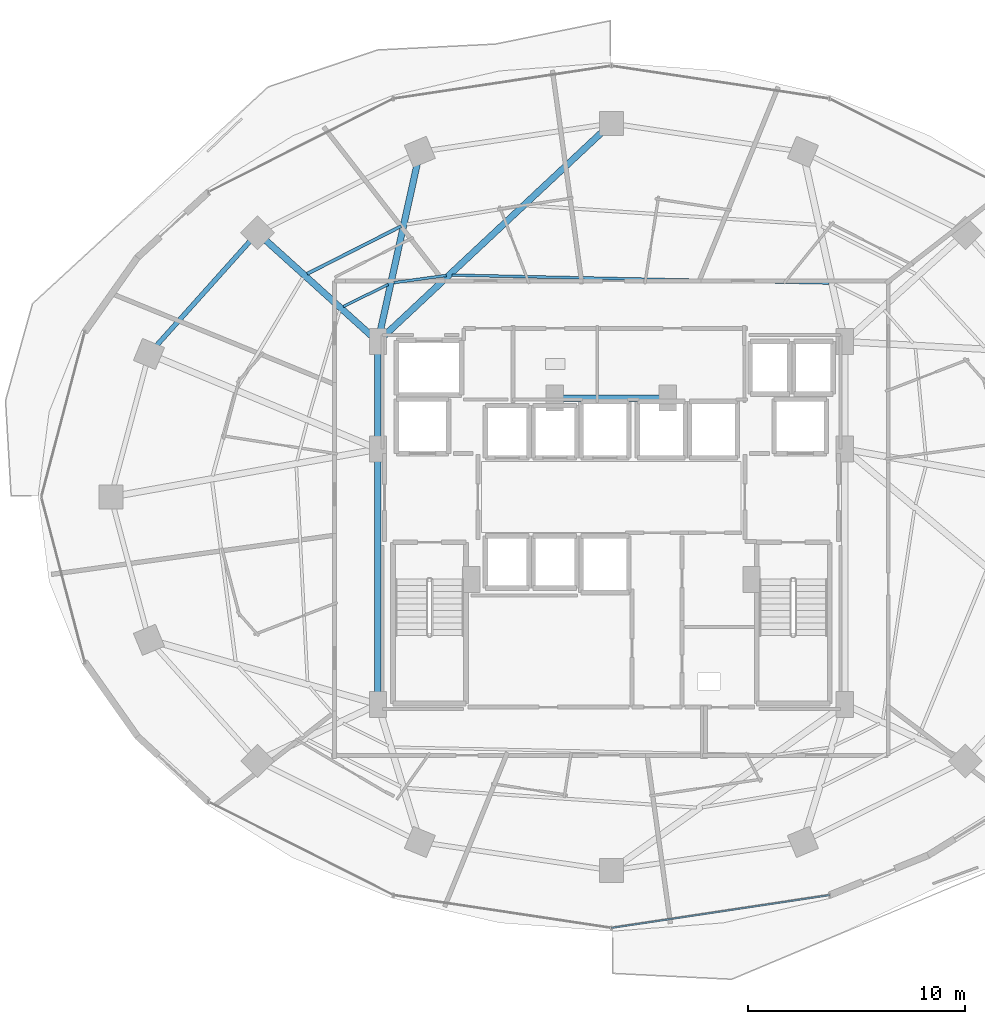
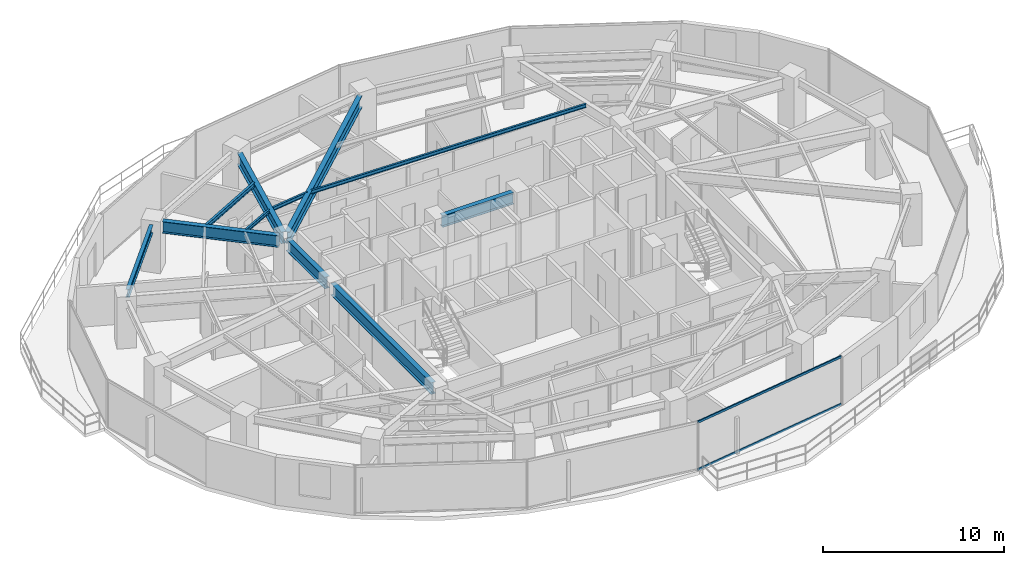
# One storey, part 9 of 30: 11 beams, 2 members, 1 element without a shape of its own.
"""IFC4 building model written with IfcOpenShell, lengths in metres."""

from ifc_helpers import new_model, si_unit, direction, frame, origin, origin_2d, place, context, subcontext, project, spatial, hollow_rectangle, i_section, extrude, material, material_profile, profile_set, type_object, element, aggregate, save


model = new_model("IFC4")

# Units and contexts
model_context = context("Model", 3, precision=1e-05, world=origin(), true_north=direction((0.0, 1.0)))
body_context = subcontext(model_context, "Body", "Model", "MODEL_VIEW")
ifc_project = project(units=[si_unit("LENGTHUNIT", "METRE"), si_unit("AREAUNIT", "SQUARE_METRE"), si_unit("VOLUMEUNIT", "CUBIC_METRE"), si_unit("PLANEANGLEUNIT", "RADIAN"), si_unit("MASSUNIT", "GRAM", prefix="KILO")], contexts=[model_context])

# Site, building, storey
site_placement = place(None, origin())
site = spatial("IfcSite", under=ifc_project, at=site_placement, CompositionType="ELEMENT")
building_placement = place(site_placement, origin())
building = spatial("IfcBuilding", under=site, at=building_placement, Name="Vorneva Point Tower", CompositionType="ELEMENT")
storey_placement = place(building_placement, frame((0.0, 0.0, 92.800048828125)))
storey = spatial("IfcBuildingStorey", under=building, at=storey_placement, Name="L24", CompositionType="ELEMENT", Elevation=92.800048828125)

# Beams
ifc_material_1 = material(Name="Steel S355", Category="steel")
ifc_material_profile_1 = material_profile(ifc_material_1, i_section(OverallWidth=0.300048828125, OverallDepth=0.7880859375, WebThickness=0.014404296875, FlangeThickness=0.02197265625, at=origin_2d()), Name="80Sh1")
ifc_profile_set_1 = profile_set([ifc_material_profile_1], Name="Steel S355")
beam_type_1 = type_object("IfcBeamType", Name="BM-GRD-80Sh1", PredefinedType="USERDEFINED", material=ifc_profile_set_1)
beam_1_placement = place(storey_placement, frame((37.60693359375, 42.83251953125, 2.845947265625), z_axis=(-0.730488863256, -0.682924608327, 0.0), x_axis=(0.682924608327, -0.730488863256, 0.0)))
element("IfcBeam", 1, at=beam_1_placement, inside=storey, type_object=beam_type_1, Name="L24 Radial Primary Girder 05", ObjectType="GIRDER", PredefinedType="USERDEFINED", context=body_context, shape_type="SweptSolid", body=[
    extrude(i_section(OverallWidth=0.300048828125, OverallDepth=0.7880859375, WebThickness=0.014404296875, FlangeThickness=0.02197265625, at=origin_2d()), origin(), (0.0, 0.0, 1.0), 13.838134765625),
])
beam_2_placement = place(storey_placement, frame((29.063232421875, 41.365234375, 2.845947265625), z_axis=(-0.215530944428, -0.976497010745, 0.0), x_axis=(0.976497010745, -0.215530944428, 0.0)))
element("IfcBeam", 2, at=beam_2_placement, inside=storey, type_object=beam_type_1, Name="L24 Radial Primary Girder 06", ObjectType="GIRDER", PredefinedType="USERDEFINED", context=body_context, shape_type="SweptSolid", body=[
    extrude(i_section(OverallWidth=0.300048828125, OverallDepth=0.7880859375, WebThickness=0.014404296875, FlangeThickness=0.02197265625, at=origin_2d()), origin(), (0.0, 0.0, 1.0), 8.072998046875),
])
beam_3_placement = place(storey_placement, frame((22.100341796875, 37.801513671875, 2.845947265625), z_axis=(0.742097300344, -0.670292172729, 0.0), x_axis=(0.670292172729, 0.742097300344, 0.0)))
element("IfcBeam", 3, at=beam_3_placement, inside=storey, type_object=beam_type_1, Name="L24 Radial Primary Girder 07", ObjectType="GIRDER", PredefinedType="USERDEFINED", context=body_context, shape_type="SweptSolid", body=[
    extrude(i_section(OverallWidth=0.300048828125, OverallDepth=0.7880859375, WebThickness=0.014404296875, FlangeThickness=0.02197265625, at=origin_2d()), origin(), (0.0, 0.0, 1.0), 6.599365234375),
])
beam_4_placement = place(storey_placement, frame((27.25, 16.77001953125, 2.845947265625), z_axis=(0.0, 1.0, 0.0), x_axis=(-1.0, 0.0, 0.0)))
element("IfcBeam", 4, at=beam_4_placement, inside=storey, type_object=beam_type_1, Name="L24 Core Tie Girder CT1", ObjectType="GIRDER", PredefinedType="USERDEFINED", context=body_context, shape_type="SweptSolid", body=[
    extrude(i_section(OverallWidth=0.300048828125, OverallDepth=0.7880859375, WebThickness=0.014404296875, FlangeThickness=0.02197265625, at=origin_2d()), origin(), (0.0, 0.0, 1.0), 11.10986328125),
])
beam_5_placement = place(storey_placement, frame((27.25, 28.52001953125, 2.845947265625), z_axis=(0.0, 1.0, 0.0), x_axis=(-1.0, 0.0, 0.0)))
element("IfcBeam", 5, at=beam_5_placement, inside=storey, type_object=beam_type_1, Name="L24 Core Tie Girder CT2", ObjectType="GIRDER", PredefinedType="USERDEFINED", context=body_context, shape_type="SweptSolid", body=[
    extrude(i_section(OverallWidth=0.300048828125, OverallDepth=0.7880859375, WebThickness=0.014404296875, FlangeThickness=0.02197265625, at=origin_2d()), origin(), (0.0, 0.0, 1.0), 4.31005859375),
])
beam_6_placement = place(storey_placement, frame((35.719970703125, 30.550048828125, 2.845947265625), z_axis=(1.0, 0.0, 0.0), x_axis=(0.0, 1.0, 0.0)))
element("IfcBeam", 6, at=beam_6_placement, inside=storey, type_object=beam_type_1, Name="L24 Core Tie Girder CT8", ObjectType="GIRDER", PredefinedType="USERDEFINED", context=body_context, shape_type="SweptSolid", body=[
    extrude(i_section(OverallWidth=0.300048828125, OverallDepth=0.7880859375, WebThickness=0.014404296875, FlangeThickness=0.02197265625, at=origin_2d()), origin(), (0.0, 0.0, 1.0), 4.56005859375),
])
ifc_material_profile_2 = material_profile(ifc_material_1, i_section(OverallWidth=0.1240234375, OverallDepth=0.248046875, WebThickness=0.0048828125, FlangeThickness=0.008056640625, at=origin_2d()), Name="25B1")
ifc_profile_set_2 = profile_set([ifc_material_profile_2], Name="Steel S355")
beam_type_2 = type_object("IfcBeamType", Name="BM-JST-25B1", PredefinedType="JOIST", material=ifc_profile_set_2)
beam_7_placement = place(storey_placement, frame((48.016845703125, 35.849853515625, 3.115966796875), z_axis=(-0.99977933568, 0.021006664342, 0.0), x_axis=(-0.021006664342, -0.99977933568, 0.0)))
element("IfcBeam", 7, at=beam_7_placement, inside=storey, type_object=beam_type_2, Name="L24 Secondary Floor Beam 2.04", PredefinedType="JOIST", context=body_context, shape_type="SweptSolid", body=[
    extrude(i_section(OverallWidth=0.1240234375, OverallDepth=0.248046875, WebThickness=0.0048828125, FlangeThickness=0.008056640625, at=origin_2d()), origin(), (0.0, 0.0, 1.0), 17.351806640625),
])
beam_8_placement = place(storey_placement, frame((30.394287109375, 36.198486328125, 3.115966796875), z_axis=(-0.990619725387, -0.136647574709, 0.0), x_axis=(0.136647574709, -0.990619725387, 0.0)))
element("IfcBeam", 8, at=beam_8_placement, inside=storey, type_object=beam_type_2, Name="L24 Secondary Floor Beam 2.05", PredefinedType="JOIST", context=body_context, shape_type="SweptSolid", body=[
    extrude(i_section(OverallWidth=0.1240234375, OverallDepth=0.248046875, WebThickness=0.0048828125, FlangeThickness=0.008056640625, at=origin_2d()), origin(), (0.0, 0.0, 1.0), 2.435302734375),
])
beam_9_placement = place(storey_placement, frame((27.721435546875, 35.785888671875, 3.115966796875), z_axis=(-0.896973792336, -0.442083720423, 0.0), x_axis=(0.442083720423, -0.896973792336, 0.0)))
element("IfcBeam", 9, at=beam_9_placement, inside=storey, type_object=beam_type_2, Name="L24 Secondary Floor Beam 2.06", PredefinedType="JOIST", context=body_context, shape_type="SweptSolid", body=[
    extrude(i_section(OverallWidth=0.1240234375, OverallDepth=0.248046875, WebThickness=0.0048828125, FlangeThickness=0.008056640625, at=origin_2d()), origin(), (0.0, 0.0, 1.0), 2.306640625),
])
ifc_material_profile_3 = material_profile(ifc_material_1, i_section(OverallWidth=0.14892578125, OverallDepth=0.298095703125, WebThickness=0.005615234375, FlangeThickness=0.008056640625, at=origin_2d()), Name="30B1")
ifc_profile_set_3 = profile_set([ifc_material_profile_3], Name="Steel S355")
beam_type_3 = type_object("IfcBeamType", Name="BM-JST-30B1", PredefinedType="JOIST", material=ifc_profile_set_3)
beam_10_placement = place(storey_placement, frame((28.313720703125, 38.46484375, 3.091064453125), z_axis=(-0.891957851433, -0.452118558862, 0.0), x_axis=(0.452118558862, -0.891957851433, 0.0)))
element("IfcBeam", 10, at=beam_10_placement, inside=storey, type_object=beam_type_3, Name="L24 Secondary Floor Beam 1.06", PredefinedType="JOIST", context=body_context, shape_type="SweptSolid", body=[
    extrude(i_section(OverallWidth=0.14892578125, OverallDepth=0.298095703125, WebThickness=0.005615234375, FlangeThickness=0.008056640625, at=origin_2d()), origin(), (0.0, 0.0, 1.0), 4.851318359375),
])
ifc_material_profile_4 = material_profile(ifc_material_1, i_section(OverallWidth=0.219970703125, OverallDepth=0.54296875, WebThickness=0.009521484375, FlangeThickness=0.013427734375, at=origin_2d()), Name="55B1")
ifc_profile_set_4 = profile_set([ifc_material_profile_4], Name="Steel S355")
beam_type_4 = type_object("IfcBeamType", Name="BM-SPN-55B1", PredefinedType="SPANDREL", material=ifc_profile_set_4)
beam_11_placement = place(storey_placement, frame((21.34423828125, 37.763671875, 2.968505859375), z_axis=(-0.667073815664, -0.744991627105, 0.0), x_axis=(0.744991627105, -0.667073815664, 0.0)))
element("IfcBeam", 11, at=beam_11_placement, inside=storey, type_object=beam_type_4, Name="L24 Perimeter Spandrel Ring Beam 07", PredefinedType="SPANDREL", context=body_context, shape_type="SweptSolid", body=[
    extrude(i_section(OverallWidth=0.219970703125, OverallDepth=0.54296875, WebThickness=0.009521484375, FlangeThickness=0.013427734375, at=origin_2d()), origin(), (0.0, 0.0, 1.0), 6.420166015625),
])

# Curtain wall, members
ifc_material_2 = material(Name="Pale anodised aluminium", Category="aluminium")
curtain_wall_type = type_object("IfcCurtainWallType", Name="CW-HTL-SYS", PredefinedType="NOTDEFINED", material=ifc_material_2)
curtain_wall_placement = place(storey_placement, origin())
curtain_wall = element("IfcCurtainWall", 12, at=curtain_wall_placement, inside=storey, type_object=curtain_wall_type, Name="L24 Unitised Curtain Wall CW-L24-R04", PredefinedType="NOTDEFINED")
ifc_material_profile_5 = material_profile(ifc_material_2, hollow_rectangle(XDim=0.074951171875, YDim=0.14990234375, WallThickness=0.00390625, at=origin_2d()), Name="AL-TRN 150x75x4")
ifc_profile_set_5 = profile_set([ifc_material_profile_5], Name="Pale anodised aluminium")
member_type = type_object("IfcMemberType", Name="CW-TRN-150", PredefinedType="USERDEFINED", material=ifc_profile_set_5)
member_1_placement = place(storey_placement, frame((38.0, 6.14990234375, 0.02001953125), z_axis=(0.988875982167, 0.148742367512, 0.0), x_axis=(-0.148742367512, 0.988875982167, 0.0)))
member_1 = element("IfcMember", 13, at=member_1_placement, type_object=member_type, Name="CW-L24-R04 Transom 03.1", ObjectType="TRANSOM", PredefinedType="USERDEFINED", context=body_context, shape_type="SweptSolid", body=[
    extrude(hollow_rectangle(XDim=0.074951171875, YDim=0.14990234375, WallThickness=0.00390625, at=origin_2d()), origin(), (0.0, 0.0, 1.0), 10.158447265625),
])
member_2_placement = place(storey_placement, frame((38.0, 6.14990234375, 3.219970703125), z_axis=(0.988875982167, 0.148742367512, 0.0), x_axis=(-0.148742367512, 0.988875982167, 0.0)))
member_2 = element("IfcMember", 14, at=member_2_placement, type_object=member_type, Name="CW-L24-R04 Transom 03.2", ObjectType="TRANSOM", PredefinedType="USERDEFINED", context=body_context, shape_type="SweptSolid", body=[
    extrude(hollow_rectangle(XDim=0.074951171875, YDim=0.14990234375, WallThickness=0.00390625, at=origin_2d()), origin(), (0.0, 0.0, 1.0), 10.158447265625),
])
aggregate(curtain_wall, [member_1, member_2])

save(model, "model.ifc")
